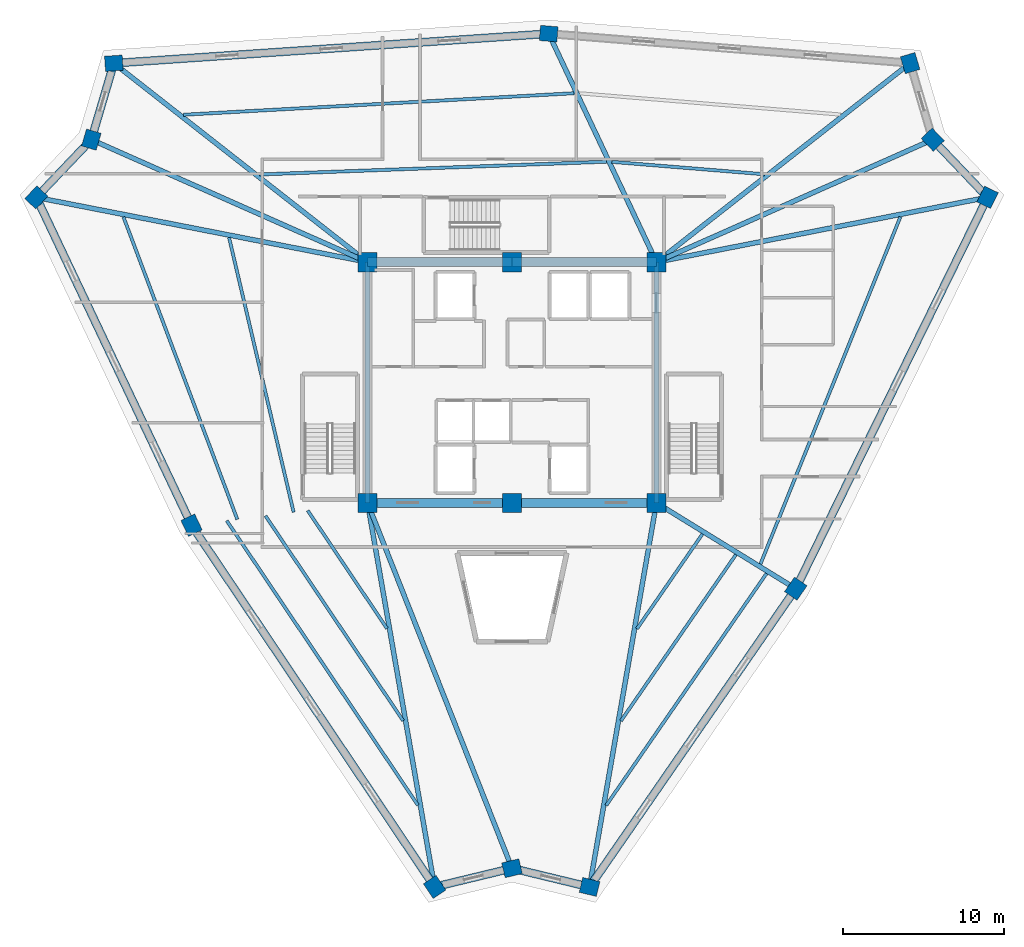
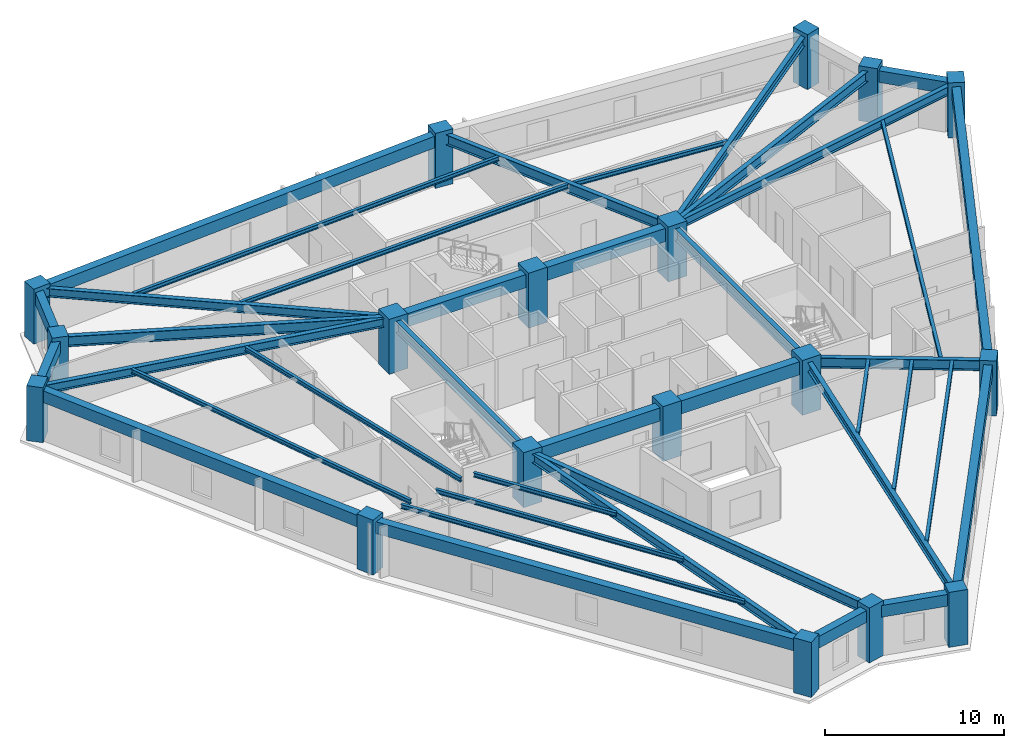
# One storey, part 1 of 8: 39 beams, 18 columns.
"""IFC4 building model written with IfcOpenShell, lengths in metres."""

from ifc_helpers import new_model, si_unit, direction, frame, origin, origin_2d, place, context, subcontext, project, spatial, rectangle, i_section, extrude, source, transform, mapped, material, material_profile, profile_set, type_object, element, save


model = new_model("IFC4")

# Units and contexts
model_context = context("Model", 3, precision=1e-05, world=origin(), true_north=direction((0.0, 1.0)))
body_context = subcontext(model_context, "Body", "Model", "MODEL_VIEW")
ifc_project = project(units=[si_unit("LENGTHUNIT", "METRE"), si_unit("AREAUNIT", "SQUARE_METRE"), si_unit("VOLUMEUNIT", "CUBIC_METRE"), si_unit("PLANEANGLEUNIT", "RADIAN"), si_unit("MASSUNIT", "GRAM", prefix="KILO")], contexts=[model_context])

# Site, building, storey
site_placement = place(None, origin())
site = spatial("IfcSite", under=ifc_project, at=site_placement, CompositionType="ELEMENT")
building_placement = place(site_placement, origin())
building = spatial("IfcBuilding", under=site, at=building_placement, Name="Liaohun Quay Tower", CompositionType="ELEMENT")
storey_placement = place(building_placement, frame((0.0, 0.0, 320.25)))
storey = spatial("IfcBuildingStorey", under=building, at=storey_placement, Name="L83", CompositionType="ELEMENT", Elevation=320.25)

# Columns
ifc_material_1 = material(Name="Concrete C50", Category="concrete")
ifc_material_profile_1 = material_profile(ifc_material_1, rectangle(XDim=1.199951171875, YDim=1.199951171875, at=origin_2d()), Name="RC1200x1200")
ifc_profile_set_1 = profile_set([ifc_material_profile_1], Name="Concrete C50")
column_type_1 = type_object("IfcColumnType", Name="COL-CC-Z4", PredefinedType="COLUMN", material=ifc_profile_set_1)
shared_shape_1 = source(origin(), body_context, "Body", "SweptSolid", [
    extrude(rectangle(XDim=1.199951171875, YDim=1.199951171875, at=origin_2d()), origin(), (0.0, 0.0, 1.0), 3.75),
])
for number, where, z_axis, x_axis, name in (
    (1, (51.0, 46.5, 0.0), (0.0, 0.0, 1.0), (1.0, 0.0, 0.0), "L83 Core Column CC1"),
    (2, (60.0, 46.5, 0.0), (0.0, 0.0, 1.0), (1.0, 0.0, 0.0), "L83 Core Column CC2"),
    (3, (69.0, 46.5, 0.0), (0.0, 0.0, 1.0), (1.0, 0.0, 0.0), "L83 Core Column CC3"),
    (4, (69.0, 61.5, 0.0), (0.0, 0.0, 1.0), (1.0, 0.0, 0.0), "L83 Core Column CC4"),
    (5, (60.0, 61.5, 0.0), (0.0, 0.0, 1.0), (1.0, 0.0, 0.0), "L83 Core Column CC5"),
    (6, (51.0, 61.5, 0.0), (0.0, 0.0, 1.0), (1.0, 0.0, 0.0), "L83 Core Column CC6"),
):
    element("IfcColumn", number, at=place(storey_placement, frame(where, z_axis=z_axis, x_axis=x_axis)), inside=storey, type_object=column_type_1, Name=name, PredefinedType="COLUMN", context=body_context, shape_type="MappedRepresentation", body=[
        mapped(shared_shape_1, transform((0.0, 0.0, 0.0), x_axis=(1.0, 0.0, 0.0), y_axis=(0.0, 1.0, 0.0), z_axis=(0.0, 0.0, 1.0), scale=1.0)),
    ])
ifc_material_profile_2 = material_profile(ifc_material_1, rectangle(XDim=1.10009765625, YDim=0.949951171875, at=origin_2d()), Name="RC1100x950")
ifc_profile_set_2 = profile_set([ifc_material_profile_2], Name="Concrete C50")
column_type_2 = type_object("IfcColumnType", Name="COL-PIER-Z4", PredefinedType="COLUMN", material=ifc_profile_set_2)
shared_shape_2 = source(origin(), body_context, "Body", "SweptSolid", [
    extrude(rectangle(XDim=1.10009765625, YDim=0.949951171875, at=origin_2d()), origin(), (0.0, 0.0, 1.0), 3.75),
])
for number, where, z_axis, x_axis, name in (
    (7, (55.177001953125, 22.571044921875, 0.0), (0.0, 0.0, 1.0), (-0.557600236013, 0.830109617338, 0.0), "L83 Perimeter Pier PC01"),
    (8, (40.034912109375, 45.112060546875, 0.0), (0.0, 0.0, 1.0), (-0.427988927879, 0.903783977294, 0.0), "L83 Perimeter Pier PC02"),
    (9, (30.364013671875, 65.531982421875, 0.0), (0.0, 0.0, 1.0), (0.68936671806, 0.724412539946, 0.0), "L83 Perimeter Pier PC03"),
    (10, (33.7900390625, 69.132080078125, 0.0), (0.0, 0.0, 1.0), (0.282676303383, 0.959215360337, 0.0), "L83 Perimeter Pier PC04"),
    (11, (35.193115234375, 73.89111328125, 0.0), (0.0, 0.0, 1.0), (0.997696134548, 0.067841160875, 0.0), "L83 Perimeter Pier PC05"),
    (12, (62.284912109375, 75.73388671875, 0.0), (0.0, 0.0, 1.0), (-0.996694347809, 0.081242704565, 0.0), "L83 Perimeter Pier PC06"),
    (13, (84.804931640625, 73.89892578125, 0.0), (0.0, 0.0, 1.0), (-0.282676303383, 0.959215360337, 0.0), "L83 Perimeter Pier PC07"),
    (14, (86.2099609375, 69.132080078125, 0.0), (0.0, 0.0, 1.0), (-0.68936671806, 0.724412539946, 0.0), "L83 Perimeter Pier PC08"),
    (15, (89.6298828125, 65.5380859375, 0.0), (0.0, 0.0, 1.0), (0.440095898534, 0.897950778213, 0.0), "L83 Perimeter Pier PC09"),
    (16, (77.679931640625, 41.154052734375, 0.0), (0.0, 0.0, 1.0), (0.56870541993, 0.822541272729, 0.0), "L83 Perimeter Pier PC10"),
    (17, (64.8310546875, 22.569091796875, 0.0), (0.0, 0.0, 1.0), (-0.972083987461, 0.234633163303, 0.0), "L83 Perimeter Pier PC11"),
    (18, (60.0, 23.735107421875, 0.0), (0.0, 0.0, 1.0), (0.972083987461, 0.234633163303, 0.0), "L83 Perimeter Pier PC12"),
):
    element("IfcColumn", number, at=place(storey_placement, frame(where, z_axis=z_axis, x_axis=x_axis)), inside=storey, type_object=column_type_2, Name=name, PredefinedType="COLUMN", context=body_context, shape_type="MappedRepresentation", body=[
        mapped(shared_shape_2, transform((0.0, 0.0, 0.0), x_axis=(1.0, 0.0, 0.0), y_axis=(0.0, 1.0, 0.0), z_axis=(0.0, 0.0, 1.0), scale=1.0)),
    ])

# Beams
ifc_material_2 = material(Name="Steel Q355D", Category="steel")
ifc_material_profile_3 = material_profile(ifc_material_2, i_section(OverallWidth=0.300048828125, OverallDepth=0.800048828125, WebThickness=0.013916015625, FlangeThickness=0.02587890625, at=origin_2d()), Name="HN800x300x14x26")
ifc_profile_set_3 = profile_set([ifc_material_profile_3], Name="Steel Q355D")
beam_type_1 = type_object("IfcBeamType", Name="BM-RAD-M1", PredefinedType="BEAM", material=ifc_profile_set_3)
shared_shape_3 = source(origin(), body_context, "Body", "SweptSolid", [
    extrude(i_section(OverallWidth=0.300048828125, OverallDepth=0.800048828125, WebThickness=0.013916015625, FlangeThickness=0.02587890625, at=origin_2d()), origin(), (0.0, 0.0, 1.0), 15.0),
])
for number, where, z_axis, x_axis, name in (
    (19, (69.0, 46.5, 3.070068359375), (0.0, 1.0, 0.0), (-1.0, 0.0, 0.0), "L83 Core Coupling/Ring Beam CC3-CC4"),
    (20, (51.0, 61.5, 3.070068359375), (0.0, -1.0, 0.0), (1.0, 0.0, 0.0), "L83 Core Coupling/Ring Beam CC6-CC1"),
):
    element("IfcBeam", number, at=place(storey_placement, frame(where, z_axis=z_axis, x_axis=x_axis)), inside=storey, type_object=beam_type_1, Name=name, PredefinedType="BEAM", context=body_context, shape_type="MappedRepresentation", body=[
        mapped(shared_shape_3, transform((0.0, 0.0, 0.0), x_axis=(1.0, 0.0, 0.0), y_axis=(0.0, 1.0, 0.0), z_axis=(0.0, 0.0, 1.0), scale=1.0)),
    ])
ifc_material_3 = material(Name="Concrete C55", Category="concrete")
ifc_material_profile_4 = material_profile(ifc_material_3, rectangle(XDim=0.550048828125, YDim=0.89990234375, at=origin_2d()), Name="RC550x900")
ifc_profile_set_4 = profile_set([ifc_material_profile_4], Name="Concrete C55")
beam_type_2 = type_object("IfcBeamType", Name="BM-CPL-2", PredefinedType="LINTEL", material=ifc_profile_set_4)
shared_shape_4 = source(origin(), body_context, "Body", "SweptSolid", [
    extrude(rectangle(XDim=0.550048828125, YDim=0.89990234375, at=origin_2d()), origin(), (0.0, 0.0, 1.0), 9.0),
])
for number, where, z_axis, x_axis, name in (
    (21, (51.0, 46.5, 3.02001953125), (1.0, 0.0, 0.0), (0.0, 1.0, 0.0), "L83 Core Coupling/Ring Beam CC1-CC2"),
    (22, (60.0, 46.5, 3.02001953125), (1.0, 0.0, 0.0), (0.0, 1.0, 0.0), "L83 Core Coupling/Ring Beam CC2-CC3"),
    (23, (69.0, 61.5, 3.02001953125), (-1.0, 0.0, 0.0), (0.0, -1.0, 0.0), "L83 Core Coupling/Ring Beam CC4-CC5"),
    (24, (60.0, 61.5, 3.02001953125), (-1.0, 0.0, 0.0), (0.0, -1.0, 0.0), "L83 Core Coupling/Ring Beam CC5-CC6"),
):
    element("IfcBeam", number, at=place(storey_placement, frame(where, z_axis=z_axis, x_axis=x_axis)), inside=storey, type_object=beam_type_2, Name=name, PredefinedType="LINTEL", context=body_context, shape_type="MappedRepresentation", body=[
        mapped(shared_shape_4, transform((0.0, 0.0, 0.0), x_axis=(1.0, 0.0, 0.0), y_axis=(0.0, 1.0, 0.0), z_axis=(0.0, 0.0, 1.0), scale=1.0)),
    ])
ifc_material_profile_5 = material_profile(ifc_material_2, i_section(OverallWidth=0.300048828125, OverallDepth=0.587890625, WebThickness=0.011962890625, FlangeThickness=0.02001953125, at=origin_2d()), Name="HM588x300x12x20")
ifc_profile_set_5 = profile_set([ifc_material_profile_5], Name="Steel Q355D")
beam_type_3 = type_object("IfcBeamType", Name="BM-RAD-U2", PredefinedType="BEAM", material=ifc_profile_set_5)
shared_shape_5 = source(origin(), body_context, "Body", "SweptSolid", [
    extrude(i_section(OverallWidth=0.300048828125, OverallDepth=0.587890625, WebThickness=0.011962890625, FlangeThickness=0.02001953125, at=origin_2d()), origin(), (0.0, 0.0, 1.0), 24.290771484375),
])
beam_1_placement = place(storey_placement, frame((51.0, 46.5, 3.176025390625), z_axis=(0.171958294112, -0.98510423057, 0.0), x_axis=(0.98510423057, 0.171958294112, 0.0)))
element("IfcBeam", 25, at=beam_1_placement, inside=storey, type_object=beam_type_3, Name="L83 Radial Primary Girder CC1-PC01", PredefinedType="BEAM", context=body_context, shape_type="MappedRepresentation", body=[
    mapped(shared_shape_5, transform((0.0, 0.0, 0.0), x_axis=(1.0, 0.0, 0.0), y_axis=(0.0, 1.0, 0.0), z_axis=(0.0, 0.0, 1.0), scale=1.0)),
])
shared_shape_6 = source(origin(), body_context, "Body", "SweptSolid", [
    extrude(i_section(OverallWidth=0.300048828125, OverallDepth=0.587890625, WebThickness=0.011962890625, FlangeThickness=0.02001953125, at=origin_2d()), origin(), (0.0, 0.0, 1.0), 21.026123046875),
])
beam_2_placement = place(storey_placement, frame((51.0, 61.5, 3.176025390625), z_axis=(-0.981441852871, 0.191759978706, 0.0), x_axis=(-0.191759978706, -0.981441852871, 0.0)))
element("IfcBeam", 26, at=beam_2_placement, inside=storey, type_object=beam_type_3, Name="L83 Radial Primary Girder CC6-PC03", PredefinedType="BEAM", context=body_context, shape_type="MappedRepresentation", body=[
    mapped(shared_shape_6, transform((0.0, 0.0, 0.0), x_axis=(1.0, 0.0, 0.0), y_axis=(0.0, 1.0, 0.0), z_axis=(0.0, 0.0, 1.0), scale=1.0)),
])
ifc_material_profile_6 = material_profile(ifc_material_2, i_section(OverallWidth=0.300048828125, OverallDepth=0.699951171875, WebThickness=0.012939453125, FlangeThickness=0.02392578125, at=origin_2d()), Name="HN700x300x13x24")
ifc_profile_set_6 = profile_set([ifc_material_profile_6], Name="Steel Q355D")
beam_type_4 = type_object("IfcBeamType", Name="BM-RAD-U1", PredefinedType="BEAM", material=ifc_profile_set_6)
shared_shape_7 = source(origin(), body_context, "Body", "SweptSolid", [
    extrude(i_section(OverallWidth=0.300048828125, OverallDepth=0.699951171875, WebThickness=0.012939453125, FlangeThickness=0.02392578125, at=origin_2d()), origin(), (0.0, 0.0, 1.0), 18.826416015625),
])
for number, where, z_axis, x_axis, name in (
    (27, (51.0, 61.5, 3.1201171875), (-0.914142264056, 0.40539353851, 0.0), (-0.40539353851, -0.914142264056, 0.0), "L83 Radial Primary Girder CC6-PC04"),
    (28, (69.0, 61.5, 3.1201171875), (0.914142264056, 0.40539353851, 0.0), (-0.40539353851, 0.914142264056, 0.0), "L83 Radial Primary Girder CC4-PC08"),
):
    element("IfcBeam", number, at=place(storey_placement, frame(where, z_axis=z_axis, x_axis=x_axis)), inside=storey, type_object=beam_type_4, Name=name, PredefinedType="BEAM", context=body_context, shape_type="MappedRepresentation", body=[
        mapped(shared_shape_7, transform((0.0, 0.0, 0.0), x_axis=(1.0, 0.0, 0.0), y_axis=(0.0, 1.0, 0.0), z_axis=(0.0, 0.0, 1.0), scale=1.0)),
    ])
shared_shape_8 = source(origin(), body_context, "Body", "SweptSolid", [
    extrude(i_section(OverallWidth=0.300048828125, OverallDepth=0.587890625, WebThickness=0.011962890625, FlangeThickness=0.02001953125, at=origin_2d()), origin(), (0.0, 0.0, 1.0), 20.084716796875),
])
beam_3_placement = place(storey_placement, frame((51.0, 61.5, 3.176025390625), z_axis=(-0.787009177391, 0.61694128951, 0.0), x_axis=(-0.61694128951, -0.787009177391, 0.0)))
element("IfcBeam", 29, at=beam_3_placement, inside=storey, type_object=beam_type_3, Name="L83 Radial Primary Girder CC6-PC05", PredefinedType="BEAM", context=body_context, shape_type="MappedRepresentation", body=[
    mapped(shared_shape_8, transform((0.0, 0.0, 0.0), x_axis=(1.0, 0.0, 0.0), y_axis=(0.0, 1.0, 0.0), z_axis=(0.0, 0.0, 1.0), scale=1.0)),
])
shared_shape_9 = source(origin(), body_context, "Body", "SweptSolid", [
    extrude(i_section(OverallWidth=0.300048828125, OverallDepth=0.699951171875, WebThickness=0.012939453125, FlangeThickness=0.02392578125, at=origin_2d()), origin(), (0.0, 0.0, 1.0), 15.73828125),
])
beam_4_placement = place(storey_placement, frame((69.0, 61.5, 3.1201171875), z_axis=(-0.42667014982, 0.904407310482, 0.0), x_axis=(-0.904407310482, -0.42667014982, 0.0)))
element("IfcBeam", 30, at=beam_4_placement, inside=storey, type_object=beam_type_4, Name="L83 Radial Primary Girder CC4-PC06", PredefinedType="BEAM", context=body_context, shape_type="MappedRepresentation", body=[
    mapped(shared_shape_9, transform((0.0, 0.0, 0.0), x_axis=(1.0, 0.0, 0.0), y_axis=(0.0, 1.0, 0.0), z_axis=(0.0, 0.0, 1.0), scale=1.0)),
])
shared_shape_10 = source(origin(), body_context, "Body", "SweptSolid", [
    extrude(i_section(OverallWidth=0.300048828125, OverallDepth=0.587890625, WebThickness=0.011962890625, FlangeThickness=0.02001953125, at=origin_2d()), origin(), (0.0, 0.0, 1.0), 20.088134765625),
])
beam_5_placement = place(storey_placement, frame((69.0, 61.5, 3.176025390625), z_axis=(0.786783285723, 0.617229342551, 0.0), x_axis=(-0.617229342551, 0.786783285723, 0.0)))
element("IfcBeam", 31, at=beam_5_placement, inside=storey, type_object=beam_type_3, Name="L83 Radial Primary Girder CC4-PC07", PredefinedType="BEAM", context=body_context, shape_type="MappedRepresentation", body=[
    mapped(shared_shape_10, transform((0.0, 0.0, 0.0), x_axis=(1.0, 0.0, 0.0), y_axis=(0.0, 1.0, 0.0), z_axis=(0.0, 0.0, 1.0), scale=1.0)),
])
shared_shape_11 = source(origin(), body_context, "Body", "SweptSolid", [
    extrude(i_section(OverallWidth=0.300048828125, OverallDepth=0.587890625, WebThickness=0.011962890625, FlangeThickness=0.02001953125, at=origin_2d()), origin(), (0.0, 0.0, 1.0), 21.021484375),
])
beam_6_placement = place(storey_placement, frame((69.0, 61.5, 3.176025390625), z_axis=(0.981376475409, 0.192094282879, 0.0), x_axis=(-0.192094282879, 0.981376475409, 0.0)))
element("IfcBeam", 32, at=beam_6_placement, inside=storey, type_object=beam_type_3, Name="L83 Radial Primary Girder CC4-PC09", PredefinedType="BEAM", context=body_context, shape_type="MappedRepresentation", body=[
    mapped(shared_shape_11, transform((0.0, 0.0, 0.0), x_axis=(1.0, 0.0, 0.0), y_axis=(0.0, 1.0, 0.0), z_axis=(0.0, 0.0, 1.0), scale=1.0)),
])
shared_shape_12 = source(origin(), body_context, "Body", "SweptSolid", [
    extrude(i_section(OverallWidth=0.300048828125, OverallDepth=0.699951171875, WebThickness=0.012939453125, FlangeThickness=0.02392578125, at=origin_2d()), origin(), (0.0, 0.0, 1.0), 10.194091796875),
])
beam_7_placement = place(storey_placement, frame((69.0, 46.5, 3.1201171875), z_axis=(0.851463375645, -0.524414072976, 0.0), x_axis=(0.524414072976, 0.851463375645, 0.0)))
element("IfcBeam", 33, at=beam_7_placement, inside=storey, type_object=beam_type_4, Name="L83 Radial Primary Girder CC3-PC10", PredefinedType="BEAM", context=body_context, shape_type="MappedRepresentation", body=[
    mapped(shared_shape_12, transform((0.0, 0.0, 0.0), x_axis=(1.0, 0.0, 0.0), y_axis=(0.0, 1.0, 0.0), z_axis=(0.0, 0.0, 1.0), scale=1.0)),
])
shared_shape_13 = source(origin(), body_context, "Body", "SweptSolid", [
    extrude(i_section(OverallWidth=0.300048828125, OverallDepth=0.587890625, WebThickness=0.011962890625, FlangeThickness=0.02001953125, at=origin_2d()), origin(), (0.0, 0.0, 1.0), 24.291259765625),
])
beam_8_placement = place(storey_placement, frame((69.0, 46.5, 3.176025390625), z_axis=(-0.17162280381, -0.985162734381, 0.0), x_axis=(0.985162734381, -0.17162280381, 0.0)))
element("IfcBeam", 34, at=beam_8_placement, inside=storey, type_object=beam_type_3, Name="L83 Radial Primary Girder CC3-PC11", PredefinedType="BEAM", context=body_context, shape_type="MappedRepresentation", body=[
    mapped(shared_shape_13, transform((0.0, 0.0, 0.0), x_axis=(1.0, 0.0, 0.0), y_axis=(0.0, 1.0, 0.0), z_axis=(0.0, 0.0, 1.0), scale=1.0)),
])
shared_shape_14 = source(origin(), body_context, "Body", "SweptSolid", [
    extrude(i_section(OverallWidth=0.300048828125, OverallDepth=0.699951171875, WebThickness=0.012939453125, FlangeThickness=0.02392578125, at=origin_2d()), origin(), (0.0, 0.0, 1.0), 24.4794921875),
])
beam_9_placement = place(storey_placement, frame((51.0, 46.5, 3.1201171875), z_axis=(0.367656281754, -0.929961751088, 0.0), x_axis=(0.929961751088, 0.367656281754, 0.0)))
element("IfcBeam", 35, at=beam_9_placement, inside=storey, type_object=beam_type_4, Name="L83 Radial Primary Girder CC1-PC12", PredefinedType="BEAM", context=body_context, shape_type="MappedRepresentation", body=[
    mapped(shared_shape_14, transform((0.0, 0.0, 0.0), x_axis=(1.0, 0.0, 0.0), y_axis=(0.0, 1.0, 0.0), z_axis=(0.0, 0.0, 1.0), scale=1.0)),
])
ifc_material_profile_7 = material_profile(ifc_material_2, i_section(OverallWidth=0.199951171875, OverallDepth=0.2939453125, WebThickness=0.008056640625, FlangeThickness=0.011962890625, at=origin_2d()), Name="HM294x200x8x12")
ifc_profile_set_7 = profile_set([ifc_material_profile_7], Name="Steel Q355D")
beam_type_5 = type_object("IfcBeamType", Name="BM-SEC-J4", PredefinedType="JOIST", material=ifc_profile_set_7)
shared_shape_15 = source(origin(), body_context, "Body", "SweptSolid", [
    extrude(i_section(OverallWidth=0.199951171875, OverallDepth=0.2939453125, WebThickness=0.008056640625, FlangeThickness=0.011962890625, at=origin_2d()), origin(), (0.0, 0.0, 1.0), 8.86376953125),
])
beam_10_placement = place(storey_placement, frame((52.214111328125, 38.669921875, 3.322998046875), z_axis=(-0.557563549277, 0.830134259332, 0.0), x_axis=(-0.830134259332, -0.557563549277, 0.0)))
element("IfcBeam", 36, at=beam_10_placement, inside=storey, type_object=beam_type_5, Name="L83 Wing Secondary Floor Joist SJ-01", PredefinedType="JOIST", context=body_context, shape_type="MappedRepresentation", body=[
    mapped(shared_shape_15, transform((0.0, 0.0, 0.0), x_axis=(1.0, 0.0, 0.0), y_axis=(0.0, 1.0, 0.0), z_axis=(0.0, 0.0, 1.0), scale=1.0)),
])
shared_shape_16 = source(origin(), body_context, "Body", "SweptSolid", [
    extrude(i_section(OverallWidth=0.199951171875, OverallDepth=0.2939453125, WebThickness=0.008056640625, FlangeThickness=0.011962890625, at=origin_2d()), origin(), (0.0, 0.0, 1.0), 15.381591796875),
])
beam_11_placement = place(storey_placement, frame((53.217041015625, 32.927001953125, 3.322998046875), z_axis=(-0.557627034384, 0.830091615741, 0.0), x_axis=(-0.830091615741, -0.557627034384, 0.0)))
element("IfcBeam", 37, at=beam_11_placement, inside=storey, type_object=beam_type_5, Name="L83 Wing Secondary Floor Joist SJ-02", PredefinedType="JOIST", context=body_context, shape_type="MappedRepresentation", body=[
    mapped(shared_shape_16, transform((0.0, 0.0, 0.0), x_axis=(1.0, 0.0, 0.0), y_axis=(0.0, 1.0, 0.0), z_axis=(0.0, 0.0, 1.0), scale=1.0)),
])
shared_shape_17 = source(origin(), body_context, "Body", "SweptSolid", [
    extrude(i_section(OverallWidth=0.199951171875, OverallDepth=0.2939453125, WebThickness=0.008056640625, FlangeThickness=0.011962890625, at=origin_2d()), origin(), (0.0, 0.0, 1.0), 21.35498046875),
])
beam_12_placement = place(storey_placement, frame((54.135986328125, 27.6630859375, 3.322998046875), z_axis=(-0.557617328173, 0.830098135958, 0.0), x_axis=(-0.830098135958, -0.557617328173, 0.0)))
element("IfcBeam", 38, at=beam_12_placement, inside=storey, type_object=beam_type_5, Name="L83 Wing Secondary Floor Joist SJ-03", PredefinedType="JOIST", context=body_context, shape_type="MappedRepresentation", body=[
    mapped(shared_shape_17, transform((0.0, 0.0, 0.0), x_axis=(1.0, 0.0, 0.0), y_axis=(0.0, 1.0, 0.0), z_axis=(0.0, 0.0, 1.0), scale=1.0)),
])
shared_shape_18 = source(origin(), body_context, "Body", "SweptSolid", [
    extrude(i_section(OverallWidth=0.199951171875, OverallDepth=0.2939453125, WebThickness=0.008056640625, FlangeThickness=0.011962890625, at=origin_2d()), origin(), (0.0, 0.0, 1.0), 17.58251953125),
])
beam_13_placement = place(storey_placement, frame((46.39501953125, 45.9169921875, 3.322998046875), z_axis=(-0.228858228464, 0.973459763557, 0.0), x_axis=(-0.973459763557, -0.228858228464, 0.0)))
element("IfcBeam", 39, at=beam_13_placement, inside=storey, type_object=beam_type_5, Name="L83 Wing Secondary Floor Joist SJ-04", PredefinedType="JOIST", context=body_context, shape_type="MappedRepresentation", body=[
    mapped(shared_shape_18, transform((0.0, 0.0, 0.0), x_axis=(1.0, 0.0, 0.0), y_axis=(0.0, 1.0, 0.0), z_axis=(0.0, 0.0, 1.0), scale=1.0)),
])
shared_shape_19 = source(origin(), body_context, "Body", "SweptSolid", [
    extrude(i_section(OverallWidth=0.199951171875, OverallDepth=0.2939453125, WebThickness=0.008056640625, FlangeThickness=0.011962890625, at=origin_2d()), origin(), (0.0, 0.0, 1.0), 20.137451171875),
])
beam_14_placement = place(storey_placement, frame((42.885986328125, 45.472900390625, 3.322998046875), z_axis=(-0.352326885506, 0.935877003537, 0.0), x_axis=(-0.935877003537, -0.352326885506, 0.0)))
element("IfcBeam", 40, at=beam_14_placement, inside=storey, type_object=beam_type_5, Name="L83 Wing Secondary Floor Joist SJ-05", PredefinedType="JOIST", context=body_context, shape_type="MappedRepresentation", body=[
    mapped(shared_shape_19, transform((0.0, 0.0, 0.0), x_axis=(1.0, 0.0, 0.0), y_axis=(0.0, 1.0, 0.0), z_axis=(0.0, 0.0, 1.0), scale=1.0)),
])
shared_shape_20 = source(origin(), body_context, "Body", "SweptSolid", [
    extrude(i_section(OverallWidth=0.199951171875, OverallDepth=0.2939453125, WebThickness=0.008056640625, FlangeThickness=0.011962890625, at=origin_2d()), origin(), (0.0, 0.0, 1.0), 21.61962890625),
])
beam_15_placement = place(storey_placement, frame((44.277099609375, 66.9609375, 3.322998046875), z_axis=(0.999321731072, 0.036824961749, 0.0), x_axis=(-0.036824961749, 0.999321731072, 0.0)))
element("IfcBeam", 41, at=beam_15_placement, inside=storey, type_object=beam_type_5, Name="L83 Wing Secondary Floor Joist SJ-06", PredefinedType="JOIST", context=body_context, shape_type="MappedRepresentation", body=[
    mapped(shared_shape_20, transform((0.0, 0.0, 0.0), x_axis=(1.0, 0.0, 0.0), y_axis=(0.0, 1.0, 0.0), z_axis=(0.0, 0.0, 1.0), scale=1.0)),
])
shared_shape_21 = source(origin(), body_context, "Body", "SweptSolid", [
    extrude(i_section(OverallWidth=0.199951171875, OverallDepth=0.2939453125, WebThickness=0.008056640625, FlangeThickness=0.011962890625, at=origin_2d()), origin(), (0.0, 0.0, 1.0), 24.375732421875),
])
beam_16_placement = place(storey_placement, frame((39.530029296875, 70.681884765625, 3.322998046875), z_axis=(0.998483257291, 0.055056197742, 0.0), x_axis=(-0.055056197742, 0.998483257291, 0.0)))
element("IfcBeam", 42, at=beam_16_placement, inside=storey, type_object=beam_type_5, Name="L83 Wing Secondary Floor Joist SJ-07", PredefinedType="JOIST", context=body_context, shape_type="MappedRepresentation", body=[
    mapped(shared_shape_21, transform((0.0, 0.0, 0.0), x_axis=(1.0, 0.0, 0.0), y_axis=(0.0, 1.0, 0.0), z_axis=(0.0, 0.0, 1.0), scale=1.0)),
])
shared_shape_22 = source(origin(), body_context, "Body", "SweptSolid", [
    extrude(i_section(OverallWidth=0.199951171875, OverallDepth=0.2939453125, WebThickness=0.008056640625, FlangeThickness=0.011962890625, at=origin_2d()), origin(), (0.0, 0.0, 1.0), 9.54736328125),
])
beam_17_placement = place(storey_placement, frame((66.218017578125, 67.7490234375, 3.322998046875), z_axis=(0.996690410993, -0.081290987417, 0.0), x_axis=(0.081290987417, 0.996690410993, 0.0)))
element("IfcBeam", 43, at=beam_17_placement, inside=storey, type_object=beam_type_5, Name="L83 Wing Secondary Floor Joist SJ-08", PredefinedType="JOIST", context=body_context, shape_type="MappedRepresentation", body=[
    mapped(shared_shape_22, transform((0.0, 0.0, 0.0), x_axis=(1.0, 0.0, 0.0), y_axis=(0.0, 1.0, 0.0), z_axis=(0.0, 0.0, 1.0), scale=1.0)),
])
shared_shape_23 = source(origin(), body_context, "Body", "SweptSolid", [
    extrude(i_section(OverallWidth=0.199951171875, OverallDepth=0.2939453125, WebThickness=0.008056640625, FlangeThickness=0.011962890625, at=origin_2d()), origin(), (0.0, 0.0, 1.0), 23.32763671875),
])
beam_18_placement = place(storey_placement, frame((84.198974609375, 64.322021484375, 3.322998046875), z_axis=(-0.37376229512, -0.927524526224, 0.0), x_axis=(0.927524526224, -0.37376229512, 0.0)))
element("IfcBeam", 44, at=beam_18_placement, inside=storey, type_object=beam_type_5, Name="L83 Wing Secondary Floor Joist SJ-11", PredefinedType="JOIST", context=body_context, shape_type="MappedRepresentation", body=[
    mapped(shared_shape_23, transform((0.0, 0.0, 0.0), x_axis=(1.0, 0.0, 0.0), y_axis=(0.0, 1.0, 0.0), z_axis=(0.0, 0.0, 1.0), scale=1.0)),
])
shared_shape_24 = source(origin(), body_context, "Body", "SweptSolid", [
    extrude(i_section(OverallWidth=0.199951171875, OverallDepth=0.2939453125, WebThickness=0.008056640625, FlangeThickness=0.011962890625, at=origin_2d()), origin(), (0.0, 0.0, 1.0), 7.17431640625),
])
beam_19_placement = place(storey_placement, frame((71.865966796875, 44.55908203125, 3.322998046875), z_axis=(-0.568709088006, -0.822538736607, 0.0), x_axis=(0.822538736607, -0.568709088006, 0.0)))
element("IfcBeam", 45, at=beam_19_placement, inside=storey, type_object=beam_type_5, Name="L83 Wing Secondary Floor Joist SJ-12", PredefinedType="JOIST", context=body_context, shape_type="MappedRepresentation", body=[
    mapped(shared_shape_24, transform((0.0, 0.0, 0.0), x_axis=(1.0, 0.0, 0.0), y_axis=(0.0, 1.0, 0.0), z_axis=(0.0, 0.0, 1.0), scale=1.0)),
])
shared_shape_25 = source(origin(), body_context, "Body", "SweptSolid", [
    extrude(i_section(OverallWidth=0.199951171875, OverallDepth=0.2939453125, WebThickness=0.008056640625, FlangeThickness=0.011962890625, at=origin_2d()), origin(), (0.0, 0.0, 1.0), 12.5966796875),
])
beam_20_placement = place(storey_placement, frame((73.948974609375, 43.27587890625, 3.322998046875), z_axis=(-0.568647477747, -0.822581330965, 0.0), x_axis=(0.822581330965, -0.568647477747, 0.0)))
element("IfcBeam", 46, at=beam_20_placement, inside=storey, type_object=beam_type_5, Name="L83 Wing Secondary Floor Joist SJ-13", PredefinedType="JOIST", context=body_context, shape_type="MappedRepresentation", body=[
    mapped(shared_shape_25, transform((0.0, 0.0, 0.0), x_axis=(1.0, 0.0, 0.0), y_axis=(0.0, 1.0, 0.0), z_axis=(0.0, 0.0, 1.0), scale=1.0)),
])
shared_shape_26 = source(origin(), body_context, "Body", "SweptSolid", [
    extrude(i_section(OverallWidth=0.199951171875, OverallDepth=0.2939453125, WebThickness=0.008056640625, FlangeThickness=0.011962890625, at=origin_2d()), origin(), (0.0, 0.0, 1.0), 17.56787109375),
])
beam_21_placement = place(storey_placement, frame((75.85888671875, 42.10009765625, 3.322998046875), z_axis=(-0.568709079059, -0.822538742793, 0.0), x_axis=(0.822538742793, -0.568709079059, 0.0)))
element("IfcBeam", 47, at=beam_21_placement, inside=storey, type_object=beam_type_5, Name="L83 Wing Secondary Floor Joist SJ-14", PredefinedType="JOIST", context=body_context, shape_type="MappedRepresentation", body=[
    mapped(shared_shape_26, transform((0.0, 0.0, 0.0), x_axis=(1.0, 0.0, 0.0), y_axis=(0.0, 1.0, 0.0), z_axis=(0.0, 0.0, 1.0), scale=1.0)),
])
ifc_material_4 = material(Name="Precast concrete C50", Category="concrete")
ifc_material_profile_8 = material_profile(ifc_material_4, rectangle(XDim=0.5, YDim=0.800048828125, at=origin_2d()), Name="RC500x800")
ifc_profile_set_8 = profile_set([ifc_material_profile_8], Name="Precast concrete C50")
beam_type_6 = type_object("IfcBeamType", Name="BM-SPD-Z4", PredefinedType="SPANDREL", material=ifc_profile_set_8)
shared_shape_27 = source(origin(), body_context, "Body", "SweptSolid", [
    extrude(rectangle(XDim=0.5, YDim=0.800048828125, at=origin_2d()), origin(), (0.0, 0.0, 1.0), 27.15478515625),
])
for number, where, z_axis, x_axis, name in (
    (48, (55.177001953125, 22.571044921875, 3.070068359375), (-0.557622208431, 0.830094857631, 0.0), (-0.830094857631, -0.557622208431, 0.0), "L83 Precast Spandrel Beam PC01-PC02"),
    (49, (89.6298828125, 65.5380859375, 3.070068359375), (-0.440067954388, -0.897964473418, 0.0), (0.897964473418, -0.440067954388, 0.0), "L83 Precast Spandrel Beam PC09-PC10"),
):
    element("IfcBeam", number, at=place(storey_placement, frame(where, z_axis=z_axis, x_axis=x_axis)), inside=storey, type_object=beam_type_6, Name=name, PredefinedType="SPANDREL", context=body_context, shape_type="MappedRepresentation", body=[
        mapped(shared_shape_27, transform((0.0, 0.0, 0.0), x_axis=(1.0, 0.0, 0.0), y_axis=(0.0, 1.0, 0.0), z_axis=(0.0, 0.0, 1.0), scale=1.0)),
    ])
shared_shape_28 = source(origin(), body_context, "Body", "SweptSolid", [
    extrude(rectangle(XDim=0.5, YDim=0.800048828125, at=origin_2d()), origin(), (0.0, 0.0, 1.0), 22.59423828125),
])
for number, where, z_axis, x_axis, name in (
    (50, (40.034912109375, 45.112060546875, 3.070068359375), (-0.428025031447, 0.903766879486, 0.0), (-0.903766879486, -0.428025031447, 0.0), "L83 Precast Spandrel Beam PC02-PC03"),
    (51, (77.679931640625, 41.154052734375, 3.070068359375), (-0.568682251057, -0.822557291216, 0.0), (0.822557291216, -0.568682251057, 0.0), "L83 Precast Spandrel Beam PC10-PC11"),
):
    element("IfcBeam", number, at=place(storey_placement, frame(where, z_axis=z_axis, x_axis=x_axis)), inside=storey, type_object=beam_type_6, Name=name, PredefinedType="SPANDREL", context=body_context, shape_type="MappedRepresentation", body=[
        mapped(shared_shape_28, transform((0.0, 0.0, 0.0), x_axis=(1.0, 0.0, 0.0), y_axis=(0.0, 1.0, 0.0), z_axis=(0.0, 0.0, 1.0), scale=1.0)),
    ])
shared_shape_29 = source(origin(), body_context, "Body", "SweptSolid", [
    extrude(rectangle(XDim=0.5, YDim=0.800048828125, at=origin_2d()), origin(), (0.0, 0.0, 1.0), 4.9697265625),
])
for number, where, z_axis, x_axis, name in (
    (52, (30.364013671875, 65.531982421875, 3.070068359375), (0.689376666304, 0.724403072851, 0.0), (-0.724403072851, 0.689376666304, 0.0), "L83 Precast Spandrel Beam PC03-PC04"),
    (53, (64.8310546875, 22.569091796875, 3.070068359375), (-0.972086844907, 0.234621324605, 0.0), (-0.234621324605, -0.972086844907, 0.0), "L83 Precast Spandrel Beam PC11-PC12"),
):
    element("IfcBeam", number, at=place(storey_placement, frame(where, z_axis=z_axis, x_axis=x_axis)), inside=storey, type_object=beam_type_6, Name=name, PredefinedType="SPANDREL", context=body_context, shape_type="MappedRepresentation", body=[
        mapped(shared_shape_29, transform((0.0, 0.0, 0.0), x_axis=(1.0, 0.0, 0.0), y_axis=(0.0, 1.0, 0.0), z_axis=(0.0, 0.0, 1.0), scale=1.0)),
    ])
shared_shape_30 = source(origin(), body_context, "Body", "SweptSolid", [
    extrude(rectangle(XDim=0.5, YDim=0.800048828125, at=origin_2d()), origin(), (0.0, 0.0, 1.0), 4.961669921875),
])
beam_22_placement = place(storey_placement, frame((33.7900390625, 69.132080078125, 3.070068359375), z_axis=(0.282789650998, 0.959181950043, 0.0), x_axis=(-0.959181950043, 0.282789650998, 0.0)))
element("IfcBeam", 54, at=beam_22_placement, inside=storey, type_object=beam_type_6, Name="L83 Precast Spandrel Beam PC04-PC05", PredefinedType="SPANDREL", context=body_context, shape_type="MappedRepresentation", body=[
    mapped(shared_shape_30, transform((0.0, 0.0, 0.0), x_axis=(1.0, 0.0, 0.0), y_axis=(0.0, 1.0, 0.0), z_axis=(0.0, 0.0, 1.0), scale=1.0)),
])
shared_shape_31 = source(origin(), body_context, "Body", "SweptSolid", [
    extrude(rectangle(XDim=0.5, YDim=0.800048828125, at=origin_2d()), origin(), (0.0, 0.0, 1.0), 27.154296875),
])
beam_23_placement = place(storey_placement, frame((35.193115234375, 73.89111328125, 3.070068359375), z_axis=(0.997694662822, 0.067862801123, 0.0), x_axis=(-0.067862801123, 0.997694662822, 0.0)))
element("IfcBeam", 55, at=beam_23_placement, inside=storey, type_object=beam_type_6, Name="L83 Precast Spandrel Beam PC05-PC06", PredefinedType="SPANDREL", context=body_context, shape_type="MappedRepresentation", body=[
    mapped(shared_shape_31, transform((0.0, 0.0, 0.0), x_axis=(1.0, 0.0, 0.0), y_axis=(0.0, 1.0, 0.0), z_axis=(0.0, 0.0, 1.0), scale=1.0)),
])
shared_shape_32 = source(origin(), body_context, "Body", "SweptSolid", [
    extrude(rectangle(XDim=0.5, YDim=0.800048828125, at=origin_2d()), origin(), (0.0, 0.0, 1.0), 4.961181640625),
])
beam_24_placement = place(storey_placement, frame((86.2099609375, 69.132080078125, 3.070068359375), z_axis=(0.689345449707, -0.724432778779, 0.0), x_axis=(0.724432778779, 0.689345449707, 0.0)))
element("IfcBeam", 56, at=beam_24_placement, inside=storey, type_object=beam_type_6, Name="L83 Precast Spandrel Beam PC08-PC09", PredefinedType="SPANDREL", context=body_context, shape_type="MappedRepresentation", body=[
    mapped(shared_shape_32, transform((0.0, 0.0, 0.0), x_axis=(1.0, 0.0, 0.0), y_axis=(0.0, 1.0, 0.0), z_axis=(0.0, 0.0, 1.0), scale=1.0)),
])
shared_shape_33 = source(origin(), body_context, "Body", "SweptSolid", [
    extrude(rectangle(XDim=0.5, YDim=0.800048828125, at=origin_2d()), origin(), (0.0, 0.0, 1.0), 4.96142578125),
])
beam_25_placement = place(storey_placement, frame((60.0, 23.735107421875, 3.070068359375), z_axis=(-0.972087239643, -0.234619689123, 0.0), x_axis=(0.234619689123, -0.972087239643, 0.0)))
element("IfcBeam", 57, at=beam_25_placement, inside=storey, type_object=beam_type_6, Name="L83 Precast Spandrel Beam PC12-PC01", PredefinedType="SPANDREL", context=body_context, shape_type="MappedRepresentation", body=[
    mapped(shared_shape_33, transform((0.0, 0.0, 0.0), x_axis=(1.0, 0.0, 0.0), y_axis=(0.0, 1.0, 0.0), z_axis=(0.0, 0.0, 1.0), scale=1.0)),
])

save(model, "model.ifc")
